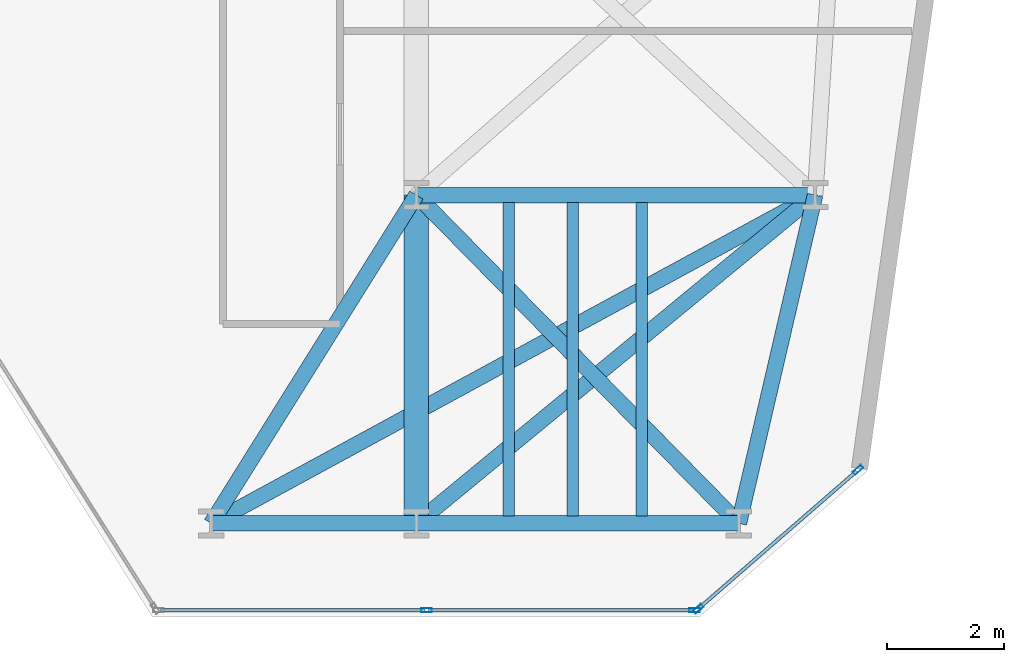
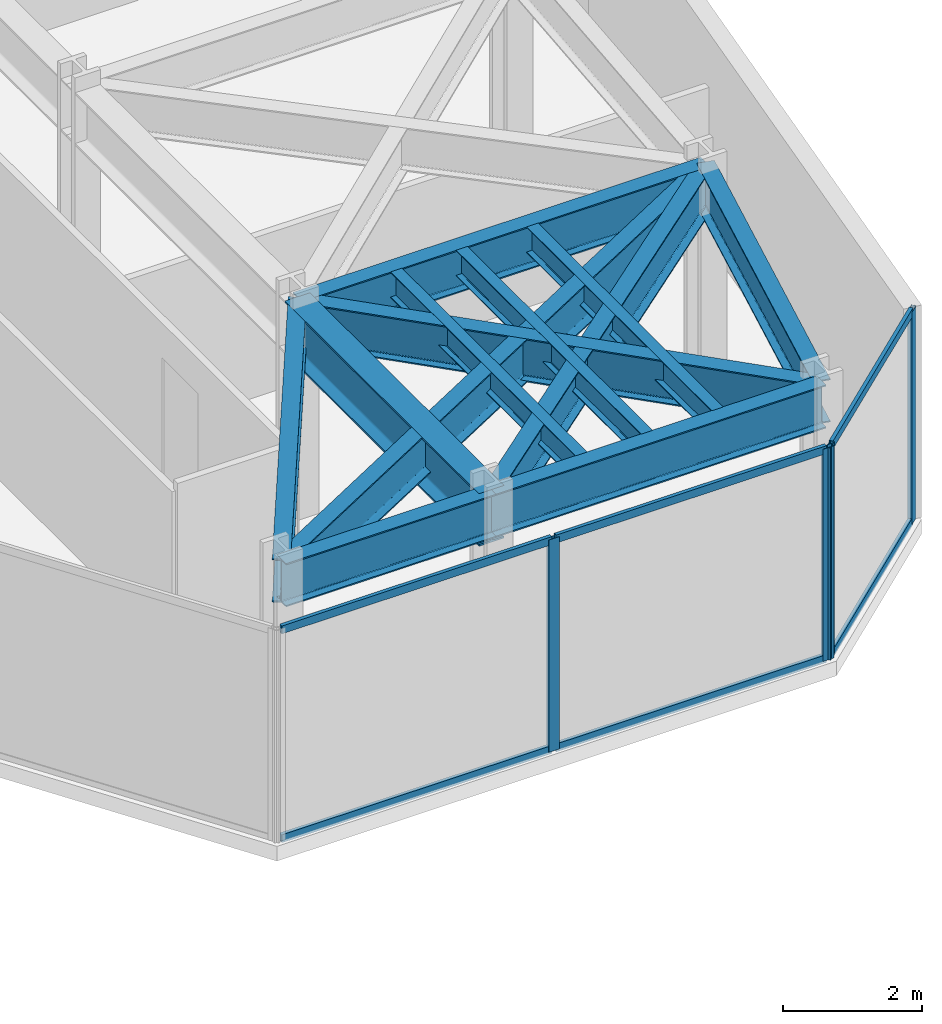
# One storey, part 13 of 24: 12 beams, 10 members, 2 elements without a shape of their own.
"""IFC4 building model written with IfcOpenShell, lengths in metres."""

import ifcopenshell
import ifcopenshell.guid

model = None  # the IFC model being written
_history = None  # IfcOwnerHistory: only IFC2X3 demands one
_inside = {}  # id of a spatial element -> (the spatial element, [elements in it])
_under = {}  # id of a project, library or spatial element -> (it, [spatial elements below it])
_declared = {}  # id of a project -> (the project, [libraries it declares])
_typed = {}  # id of a type object -> (the type object, [elements of that type])
_made_of = {}  # id of a material, layer set ... -> (it, [elements and type objects made of it])


def new_model(schema):
    """Start an empty IFC model of exactly this schema.

    Asked for "IFC4X3", IfcOpenShell would pick the latest addendum, in which some entities
    have other attributes; the version numbers below select the first issue.
    IFC2X3 requires an IfcOwnerHistory on every rooted entity: one is made here for all.
    """
    global model, _history
    if schema == "IFC4X3":
        model = ifcopenshell.file(schema_version=(4, 3, 0, 0))
    else:
        model = ifcopenshell.file(schema=schema)
    _inside.clear()
    _under.clear()
    _declared.clear()
    _typed.clear()
    _made_of.clear()
    _history = None
    if model.schema == "IFC2X3":
        org = make("IfcOrganization", Name="unknown")
        user = make(
            "IfcPersonAndOrganization",
            ThePerson=make("IfcPerson", FamilyName="unknown"),
            TheOrganization=org,
        )
        app = make(
            "IfcApplication",
            ApplicationDeveloper=org,
            Version="unknown",
            ApplicationFullName="unknown",
            ApplicationIdentifier="unknown",
        )
        _history = make(
            "IfcOwnerHistory",
            OwningUser=user,
            OwningApplication=app,
            ChangeAction="ADDED",
            CreationDate=0,
        )
    return model


def make(cls, **values):
    """One entity of the class cls with the attributes given. An attribute that is None is left unset."""
    return model.create_entity(
        cls, **{name: value for name, value in values.items() if value is not None}
    )


def rooted(cls, **values):
    """An entity with a GlobalId (a new one), such as an element, a storey or a relation."""
    return make(cls, GlobalId=ifcopenshell.guid.new(), OwnerHistory=_history, **values)


def si_unit(unit_type, name, prefix=None):
    """IfcSIUnit, for example si_unit("LENGTHUNIT", "METRE", prefix="MILLI")."""
    return make("IfcSIUnit", UnitType=unit_type, Prefix=prefix, Name=name)


def assignment(units):
    """IfcUnitAssignment: the units of a project."""
    return None if units is None else make("IfcUnitAssignment", Units=units)


def point(xyz):
    """IfcCartesianPoint."""
    return None if xyz is None else make("IfcCartesianPoint", Coordinates=xyz)


def direction(xyz):
    """IfcDirection."""
    return None if xyz is None else make("IfcDirection", DirectionRatios=xyz)


def frame(location, z_axis=None, x_axis=None):
    """IfcAxis2Placement3D, a coordinate frame: its origin and axes. An axis left out is left unset."""
    return make(
        "IfcAxis2Placement3D",
        Location=point(location),
        Axis=direction(z_axis),
        RefDirection=direction(x_axis),
    )


def frame_2d(location, x_axis=None):
    """IfcAxis2Placement2D, a coordinate frame in the plane: its origin and x axis."""
    return make(
        "IfcAxis2Placement2D", Location=point(location), RefDirection=direction(x_axis)
    )


def origin():
    """The frame at (0, 0, 0) with its axes left unset."""
    return frame((0.0, 0.0, 0.0))


def origin_2d():
    """The frame at (0, 0) in the plane with its x axis left unset."""
    return frame_2d((0.0, 0.0))


def place(relative_to, where):
    """IfcLocalPlacement: puts the frame where relative to a parent placement (None: the world)."""
    return make(
        "IfcLocalPlacement", PlacementRelTo=relative_to, RelativePlacement=where
    )


def context(
    kind, dimensions, precision=None, world=None, true_north=None, identifier=None
):
    """IfcGeometricRepresentationContext, for example the 3D "Model" context."""
    return make(
        "IfcGeometricRepresentationContext",
        ContextIdentifier=identifier,
        ContextType=kind,
        CoordinateSpaceDimension=dimensions,
        Precision=precision,
        WorldCoordinateSystem=world,
        TrueNorth=true_north,
    )


def subcontext(parent, identifier, kind, view, scale=None):
    """IfcGeometricRepresentationSubContext, for example "Body" below "Model"."""
    return make(
        "IfcGeometricRepresentationSubContext",
        ContextIdentifier=identifier,
        ContextType=kind,
        ParentContext=parent,
        TargetScale=scale,
        TargetView=view,
    )


def project(units=None, contexts=None):
    """IfcProject with its units and contexts."""
    return rooted(
        "IfcProject",
        Name="project",
        RepresentationContexts=contexts,
        UnitsInContext=assignment(units),
    )


def spatial(cls, under=None, at=None, **own):
    """A site, building, storey or space (cls), placed at a placement, below another one or the project."""
    s = rooted(cls, ObjectPlacement=at, **own)
    if under is not None:
        _under.setdefault(under.id(), (under, []))[1].append(s)
    return s


def profile(cls, at=None, kind="AREA", **sizes):
    """A parametric profile (cls). Its sizes go by their IFC names, for example OverallWidth=200.0."""
    return make(cls, ProfileType=kind, Position=at, **sizes)


def hollow_rectangle(**sizes):
    """IfcRectangleHollowProfileDef."""
    return profile("IfcRectangleHollowProfileDef", **sizes)


def i_section(**sizes):
    """IfcIShapeProfileDef."""
    return profile("IfcIShapeProfileDef", **sizes)


def extrude(swept, where, along, depth):
    """IfcExtrudedAreaSolid: the profile swept, set in the frame where, extruded along a direction by depth."""
    return make(
        "IfcExtrudedAreaSolid",
        SweptArea=swept,
        Position=where,
        ExtrudedDirection=direction(along),
        Depth=depth,
    )


def shape(context_of_items, identifier, shape_type, items):
    """IfcShapeRepresentation: the items that make up one representation, for example the "Body"."""
    return make(
        "IfcShapeRepresentation",
        ContextOfItems=context_of_items,
        RepresentationIdentifier=identifier,
        RepresentationType=shape_type,
        Items=items,
    )


def material(Name=None, Category=None):
    """IfcMaterial."""
    return make("IfcMaterial", Name=Name, Category=Category)


def layer(
    of_material, thickness, ventilated=None, Name=None, Category=None, Priority=None
):
    """IfcMaterialLayer: one layer of a wall or slab, of a material (None: an air gap)."""
    return make(
        "IfcMaterialLayer",
        Material=of_material,
        LayerThickness=thickness,
        IsVentilated=ventilated,
        Name=Name,
        Category=Category,
        Priority=Priority,
    )


def layer_set(layers, Name=None):
    """IfcMaterialLayerSet."""
    return make("IfcMaterialLayerSet", MaterialLayers=layers, LayerSetName=Name)


def material_profile(
    of_material, cross_section, Name=None, Category=None, Priority=None
):
    """IfcMaterialProfile: a cross section and its material."""
    return make(
        "IfcMaterialProfile",
        Name=Name,
        Material=of_material,
        Profile=cross_section,
        Priority=Priority,
        Category=Category,
    )


def profile_set(profiles, Name=None, composite=None):
    """IfcMaterialProfileSet."""
    return make(
        "IfcMaterialProfileSet",
        Name=Name,
        MaterialProfiles=profiles,
        CompositeProfile=composite,
    )


def made_of(thing, what):
    """Note that an element or type object is made of a material, layer set ...; save() writes the relation."""
    if what is not None:
        _made_of.setdefault(what.id(), (what, []))[1].append(thing)
    return thing


def type_object(cls, material=None, **own):
    """A type object (cls), such as IfcWallType, which elements share."""
    return made_of(rooted(cls, **own), material)


def element(
    cls,
    number,
    at=None,
    inside=None,
    cuts=None,
    type_object=None,
    material=None,
    context=None,
    identifier="Body",
    shape_type=None,
    held_by="IfcProductDefinitionShape",
    body=None,
    shapes=None,
    **own,
):
    """One element of the class cls, such as IfcWall. Its Tag is "e" and its number.

    at: its placement. inside: the storey or other place that contains it. cuts: it is an
    opening in that element (IfcRelVoidsElement). A single representation is given by context,
    identifier, shape_type and body (its items); several are given by shapes. held_by: the class
    of the entity that holds the representations. save() writes the other relations.
    """
    e = rooted(cls, Tag="e%d" % number, ObjectPlacement=at, **own)
    if body is not None:
        shapes = [shape(context, identifier, shape_type, body)]
    if shapes is not None:
        e.Representation = make(held_by, Representations=shapes)
    if inside is not None:
        _inside.setdefault(inside.id(), (inside, []))[1].append(e)
    if cuts is not None:
        rooted(
            "IfcRelVoidsElement", RelatingBuildingElement=cuts, RelatedOpeningElement=e
        )
    if type_object is not None:
        _typed.setdefault(type_object.id(), (type_object, []))[1].append(e)
    return made_of(e, material)


def aggregate(whole, parts):
    """IfcRelAggregates: a whole, such as a stair, and the parts it consists of."""
    return rooted("IfcRelAggregates", RelatingObject=whole, RelatedObjects=parts)


def save(model, path):
    """Write the relations noted so far, then the file.

    IfcRelAggregates (storeys below a building ...), IfcRelContainedInSpatialStructure (elements
    in a storey), IfcRelDefinesByType, IfcRelAssociatesMaterial and IfcRelDeclares: one each for
    every whole, place, type object, material and project.
    """
    for whole, parts in _under.values():
        aggregate(whole, parts)
    for where, things in _inside.values():
        rooted(
            "IfcRelContainedInSpatialStructure",
            RelatedElements=things,
            RelatingStructure=where,
        )
    for kind, things in _typed.values():
        rooted("IfcRelDefinesByType", RelatedObjects=things, RelatingType=kind)
    for what, things in _made_of.values():
        rooted("IfcRelAssociatesMaterial", RelatedObjects=things, RelatingMaterial=what)
    for by, libraries in _declared.values():
        rooted("IfcRelDeclares", RelatingContext=by, RelatedDefinitions=libraries)
    model.write(path)


model = new_model("IFC4")

# Units and contexts
model_context = context("Model", 3, precision=1e-05, world=origin(), true_north=direction((0.0, 1.0)))
body_context = subcontext(model_context, "Body", "Model", "MODEL_VIEW")
ifc_project = project(units=[si_unit("LENGTHUNIT", "METRE"), si_unit("AREAUNIT", "SQUARE_METRE"), si_unit("VOLUMEUNIT", "CUBIC_METRE"), si_unit("PLANEANGLEUNIT", "RADIAN"), si_unit("MASSUNIT", "GRAM", prefix="KILO")], contexts=[model_context])

# Site, building, storey
site_placement = place(None, origin())
site = spatial("IfcSite", under=ifc_project, at=site_placement, CompositionType="ELEMENT")
building_placement = place(site_placement, origin())
building = spatial("IfcBuilding", under=site, at=building_placement, Name="Kravanh Interchange Tower", CompositionType="ELEMENT")
storey_placement = place(building_placement, frame((0.0, 0.0, 77.5)))
storey = spatial("IfcBuildingStorey", under=building, at=storey_placement, Name="L18", CompositionType="ELEMENT", Elevation=77.5)

# Curtain wall, members
ifc_material_1 = material(Name="Anodised Bronze Aluminium", Category="aluminium")
ifc_layer = layer(ifc_material_1, 0.179931640625)
ifc_layer_set = layer_set([ifc_layer], Name="Unitised Curtain Wall System CW-Z1 Lower Office")
curtain_wall_type = type_object("IfcCurtainWallType", Name="Unitised Curtain Wall System CW-Z1 Lower Office", PredefinedType="NOTDEFINED", material=ifc_layer_set)
curtain_wall_1_placement = place(storey_placement, origin())
curtain_wall_1 = element("IfcCurtainWall", 1, at=curtain_wall_1_placement, inside=storey, type_object=curtain_wall_type, Name="L18 Unitised Curtain Wall CW-L18-02", PredefinedType="NOTDEFINED")
ifc_material_2 = material(Name="Anodised Bronze Aluminium", Category="aluminium")
ifc_material_profile_1 = material_profile(ifc_material_2, hollow_rectangle(XDim=0.070068359375, YDim=0.179931640625, WallThickness=0.00390625, at=origin_2d()), Name="ALU70X180X4")
ifc_profile_set_1 = profile_set([ifc_material_profile_1], Name="Anodised Bronze Aluminium")
member_type_1 = type_object("IfcMemberType", Name="Curtain Wall Mullion ALU70X180X4 Bronze", PredefinedType="MULLION", material=ifc_profile_set_1)
member_1_placement = place(storey_placement, frame((63.533203125, 3.513916015625, 0.0), z_axis=(0.0, 0.0, 1.0), x_axis=(0.656060422341, -0.754708368999, 0.0)))
member_1 = element("IfcMember", 2, at=member_1_placement, type_object=member_type_1, Name="CW-Z1 mullion 1", PredefinedType="MULLION", context=body_context, shape_type="SweptSolid", body=[
    extrude(hollow_rectangle(XDim=0.070068359375, YDim=0.179931640625, WallThickness=0.00390625, at=origin_2d()), origin(), (0.0, 0.0, 1.0), 3.739990234375),
])
member_2_placement = place(storey_placement, frame((60.805908203125, 1.14306640625, 0.0), z_axis=(0.0, 0.0, 1.0), x_axis=(0.656060422341, -0.754708368999, 0.0)))
member_2 = element("IfcMember", 3, at=member_2_placement, type_object=member_type_1, Name="CW-Z1 mullion 2", PredefinedType="MULLION", context=body_context, shape_type="SweptSolid", body=[
    extrude(hollow_rectangle(XDim=0.070068359375, YDim=0.179931640625, WallThickness=0.00390625, at=origin_2d()), origin(), (0.0, 0.0, 1.0), 3.739990234375),
])

curtain_wall_2_placement = place(storey_placement, origin())
curtain_wall_2 = element("IfcCurtainWall", 4, at=curtain_wall_2_placement, inside=storey, type_object=curtain_wall_type, Name="L18 Unitised Curtain Wall CW-L18-03", PredefinedType="NOTDEFINED")
member_3_placement = place(storey_placement, frame((60.744384765625, 1.1201171875, 0.0), z_axis=(0.0, 0.0, 1.0), x_axis=(0.0, -1.0, 0.0)))
member_3 = element("IfcMember", 5, at=member_3_placement, type_object=member_type_1, Name="CW-Z1 mullion 1", PredefinedType="MULLION", context=body_context, shape_type="SweptSolid", body=[
    extrude(hollow_rectangle(XDim=0.070068359375, YDim=0.179931640625, WallThickness=0.00390625, at=origin_2d()), origin(), (0.0, 0.0, 1.0), 3.739990234375),
])
member_4_placement = place(storey_placement, frame((56.1728515625, 1.1201171875, 0.0), z_axis=(0.0, 0.0, 1.0), x_axis=(0.0, -1.0, 0.0)))
member_4 = element("IfcMember", 6, at=member_4_placement, type_object=member_type_1, Name="CW-Z1 mullion 2", PredefinedType="MULLION", context=body_context, shape_type="SweptSolid", body=[
    extrude(hollow_rectangle(XDim=0.070068359375, YDim=0.179931640625, WallThickness=0.00390625, at=origin_2d()), origin(), (0.0, 0.0, 1.0), 3.739990234375),
])

# Member
ifc_material_3 = material(Name="Anodised Bronze Aluminium", Category="aluminium")
ifc_material_profile_2 = material_profile(ifc_material_3, hollow_rectangle(XDim=0.06005859375, YDim=0.139892578125, WallThickness=0.00390625, at=origin_2d()), Name="ALU60X140X4")
ifc_profile_set_2 = profile_set([ifc_material_profile_2], Name="Anodised Bronze Aluminium")
member_type_2 = type_object("IfcMemberType", Name="Curtain Wall Transom ALU60X140X4 Bronze", PredefinedType="USERDEFINED", material=ifc_profile_set_2)
member_5_placement = place(storey_placement, frame((63.5068359375, 3.490966796875, 0.030029296875), z_axis=(-0.754710815466, -0.656057608004, 0.0), x_axis=(0.656057608004, -0.754710815466, 0.0)))
member_5 = element("IfcMember", 7, at=member_5_placement, type_object=member_type_2, Name="CW-Z1 transom 1.1", ObjectType="TRANSOM", PredefinedType="USERDEFINED", context=body_context, shape_type="SweptSolid", body=[
    extrude(hollow_rectangle(XDim=0.06005859375, YDim=0.139892578125, WallThickness=0.00390625, at=origin_2d()), origin(), (0.0, 0.0, 1.0), 3.543701171875),
])

member_6_placement = place(storey_placement, frame((63.5068359375, 3.490966796875, 3.7099609375), z_axis=(-0.754710815466, -0.656057608004, 0.0), x_axis=(0.656057608004, -0.754710815466, 0.0)))
member_6 = element("IfcMember", 8, at=member_6_placement, type_object=member_type_2, Name="CW-Z1 transom 1.2", ObjectType="TRANSOM", PredefinedType="USERDEFINED", context=body_context, shape_type="SweptSolid", body=[
    extrude(hollow_rectangle(XDim=0.06005859375, YDim=0.139892578125, WallThickness=0.00390625, at=origin_2d()), origin(), (0.0, 0.0, 1.0), 3.543701171875),
])

aggregate(curtain_wall_1, [member_1, member_2, member_5, member_6])

member_7_placement = place(storey_placement, frame((60.70947265625, 1.1201171875, 0.030029296875), z_axis=(-1.0, 0.0, 0.0), x_axis=(0.0, -1.0, 0.0)))
member_7 = element("IfcMember", 9, at=member_7_placement, type_object=member_type_2, Name="CW-Z1 transom 1.1", ObjectType="TRANSOM", PredefinedType="USERDEFINED", context=body_context, shape_type="SweptSolid", body=[
    extrude(hollow_rectangle(XDim=0.06005859375, YDim=0.139892578125, WallThickness=0.00390625, at=origin_2d()), origin(), (0.0, 0.0, 1.0), 4.501708984375),
])

member_8_placement = place(storey_placement, frame((60.70947265625, 1.1201171875, 3.7099609375), z_axis=(-1.0, 0.0, 0.0), x_axis=(0.0, -1.0, 0.0)))
member_8 = element("IfcMember", 10, at=member_8_placement, type_object=member_type_2, Name="CW-Z1 transom 1.2", ObjectType="TRANSOM", PredefinedType="USERDEFINED", context=body_context, shape_type="SweptSolid", body=[
    extrude(hollow_rectangle(XDim=0.06005859375, YDim=0.139892578125, WallThickness=0.00390625, at=origin_2d()), origin(), (0.0, 0.0, 1.0), 4.501708984375),
])

member_9_placement = place(storey_placement, frame((56.1376953125, 1.1201171875, 0.030029296875), z_axis=(-1.0, 0.0, 0.0), x_axis=(0.0, -1.0, 0.0)))
member_9 = element("IfcMember", 11, at=member_9_placement, type_object=member_type_2, Name="CW-Z1 transom 2.1", ObjectType="TRANSOM", PredefinedType="USERDEFINED", context=body_context, shape_type="SweptSolid", body=[
    extrude(hollow_rectangle(XDim=0.06005859375, YDim=0.139892578125, WallThickness=0.00390625, at=origin_2d()), origin(), (0.0, 0.0, 1.0), 4.50146484375),
])

member_10_placement = place(storey_placement, frame((56.1376953125, 1.1201171875, 3.7099609375), z_axis=(-1.0, 0.0, 0.0), x_axis=(0.0, -1.0, 0.0)))
member_10 = element("IfcMember", 12, at=member_10_placement, type_object=member_type_2, Name="CW-Z1 transom 2.2", ObjectType="TRANSOM", PredefinedType="USERDEFINED", context=body_context, shape_type="SweptSolid", body=[
    extrude(hollow_rectangle(XDim=0.06005859375, YDim=0.139892578125, WallThickness=0.00390625, at=origin_2d()), origin(), (0.0, 0.0, 1.0), 4.50146484375),
])

aggregate(curtain_wall_2, [member_3, member_4, member_7, member_8, member_9, member_10])

# Beams
ifc_material_4 = material(Name="Structural Steel S355", Category="steel")
ifc_material_profile_3 = material_profile(ifc_material_4, i_section(OverallWidth=0.41796875, OverallDepth=0.927001953125, WebThickness=0.019287109375, FlangeThickness=0.031982421875, FilletRadius=0.028076171875, at=origin_2d()), Name="W36X231")
ifc_profile_set_3 = profile_set([ifc_material_profile_3], Name="Structural Steel S355")
beam_type_1 = type_object("IfcBeamType", Name="Floor Beam W36X231 Structural Steel S355", PredefinedType="BEAM", material=ifc_profile_set_3)
beam_1_placement = place(storey_placement, frame((56.0, 2.60009765625, 3.276611328125), z_axis=(0.0, 1.0, 0.0), x_axis=(-1.0, 0.0, 0.0)))
element("IfcBeam", 13, at=beam_1_placement, inside=storey, type_object=beam_type_1, Name="L18 Primary Floor Girder 129", PredefinedType="BEAM", context=body_context, shape_type="SweptSolid", body=[
    extrude(i_section(OverallWidth=0.41796875, OverallDepth=0.927001953125, WebThickness=0.019287109375, FlangeThickness=0.031982421875, FilletRadius=0.028076171875, at=origin_2d()), origin(), (0.0, 0.0, 1.0), 5.599853515625),
])
ifc_material_5 = material(Name="Structural Steel S355", Category="steel")
ifc_material_profile_4 = material_profile(ifc_material_5, i_section(OverallWidth=0.18994140625, OverallDepth=0.45703125, WebThickness=0.009033203125, FlangeThickness=0.014404296875, FilletRadius=0.01806640625, at=origin_2d()), Name="W18X50")
ifc_profile_set_4 = profile_set([ifc_material_profile_4], Name="Structural Steel S355")
beam_type_2 = type_object("IfcBeamType", Name="Floor Joist W18X50 Structural Steel S355", PredefinedType="JOIST", material=ifc_profile_set_4)
for number, where, z_axis, x_axis, name in (
    (14, (57.573974609375, 2.728515625, 3.511474609375), (0.0, 1.0, 0.0), (-1.0, 0.0, 0.0), "L18 Secondary Floor Joist 7"),
    (15, (58.666015625, 2.728515625, 3.511474609375), (0.0, 1.0, 0.0), (-1.0, 0.0, 0.0), "L18 Secondary Floor Joist 8"),
    (16, (59.842041015625, 2.728515625, 3.511474609375), (0.0, 1.0, 0.0), (-1.0, 0.0, 0.0), "L18 Secondary Floor Joist 9"),
):
    element("IfcBeam", number, at=place(storey_placement, frame(where, z_axis=z_axis, x_axis=x_axis)), inside=storey, type_object=beam_type_2, Name=name, PredefinedType="JOIST", context=body_context, shape_type="SweptSolid", body=[
        extrude(i_section(OverallWidth=0.18994140625, OverallDepth=0.45703125, WebThickness=0.009033203125, FlangeThickness=0.014404296875, FilletRadius=0.01806640625, at=origin_2d()), origin(), (0.0, 0.0, 1.0), 5.343017578125),
    ])
ifc_material_6 = material(Name="Structural Steel S355", Category="steel")
ifc_material_profile_5 = material_profile(ifc_material_6, i_section(OverallWidth=0.26708984375, OverallDepth=0.761962890625, WebThickness=0.014404296875, FlangeThickness=0.021484375, FilletRadius=0.02490234375, at=origin_2d()), Name="W30X116")
ifc_profile_set_5 = profile_set([ifc_material_profile_5], Name="Structural Steel S355")
beam_type_3 = type_object("IfcBeamType", Name="Floor Spandrel W30X116 Structural Steel S355", PredefinedType="SPANDREL", material=ifc_profile_set_5)
beam_2_placement = place(storey_placement, frame((52.5, 2.60009765625, 3.35888671875), z_axis=(1.0, 0.0, 0.0), x_axis=(0.0, 1.0, 0.0)))
element("IfcBeam", 17, at=beam_2_placement, inside=storey, type_object=beam_type_3, Name="L18 Perimeter Spandrel 125", PredefinedType="SPANDREL", context=body_context, shape_type="SweptSolid", body=[
    extrude(i_section(OverallWidth=0.26708984375, OverallDepth=0.761962890625, WebThickness=0.014404296875, FlangeThickness=0.021484375, FilletRadius=0.02490234375, at=origin_2d()), origin(), (0.0, 0.0, 1.0), 3.5),
])
beam_3_placement = place(storey_placement, frame((52.5, 2.60009765625, 3.35888671875), z_axis=(0.530008909536, 0.847992072965, 0.0), x_axis=(-0.847992072965, 0.530008909536, 0.0)))
element("IfcBeam", 18, at=beam_3_placement, inside=storey, type_object=beam_type_3, Name="L18 Perimeter Spandrel 126", PredefinedType="SPANDREL", context=body_context, shape_type="SweptSolid", body=[
    extrude(i_section(OverallWidth=0.26708984375, OverallDepth=0.761962890625, WebThickness=0.014404296875, FlangeThickness=0.021484375, FilletRadius=0.02490234375, at=origin_2d()), origin(), (0.0, 0.0, 1.0), 6.603759765625),
])
beam_4_placement = place(storey_placement, frame((52.5, 2.60009765625, 3.35888671875), z_axis=(0.878552895081, 0.47764506754, 0.0), x_axis=(-0.47764506754, 0.878552895081, 0.0)))
element("IfcBeam", 19, at=beam_4_placement, inside=storey, type_object=beam_type_3, Name="L18 Perimeter Spandrel 127", PredefinedType="SPANDREL", context=body_context, shape_type="SweptSolid", body=[
    extrude(i_section(OverallWidth=0.26708984375, OverallDepth=0.761962890625, WebThickness=0.014404296875, FlangeThickness=0.021484375, FilletRadius=0.02490234375, at=origin_2d()), origin(), (0.0, 0.0, 1.0), 11.723876953125),
])
beam_5_placement = place(storey_placement, frame((56.0, 2.60009765625, 3.35888671875), z_axis=(1.0, 0.0, 0.0), x_axis=(0.0, 1.0, 0.0)))
element("IfcBeam", 20, at=beam_5_placement, inside=storey, type_object=beam_type_3, Name="L18 Perimeter Spandrel 128", PredefinedType="SPANDREL", context=body_context, shape_type="SweptSolid", body=[
    extrude(i_section(OverallWidth=0.26708984375, OverallDepth=0.761962890625, WebThickness=0.014404296875, FlangeThickness=0.021484375, FilletRadius=0.02490234375, at=origin_2d()), origin(), (0.0, 0.0, 1.0), 5.5),
])
beam_6_placement = place(storey_placement, frame((56.0, 2.60009765625, 3.35888671875), z_axis=(0.771940635711, 0.635694623965, 0.0), x_axis=(-0.635694623965, 0.771940635711, 0.0)))
element("IfcBeam", 21, at=beam_6_placement, inside=storey, type_object=beam_type_3, Name="L18 Perimeter Spandrel 130", PredefinedType="SPANDREL", context=body_context, shape_type="SweptSolid", body=[
    extrude(i_section(OverallWidth=0.26708984375, OverallDepth=0.761962890625, WebThickness=0.014404296875, FlangeThickness=0.021484375, FilletRadius=0.02490234375, at=origin_2d()), origin(), (0.0, 0.0, 1.0), 8.80908203125),
])
beam_7_placement = place(storey_placement, frame((61.5, 2.60009765625, 3.35888671875), z_axis=(0.226143379252, 0.974094026273, 0.0), x_axis=(-0.974094026273, 0.226143379252, 0.0)))
element("IfcBeam", 22, at=beam_7_placement, inside=storey, type_object=beam_type_3, Name="L18 Perimeter Spandrel 131", PredefinedType="SPANDREL", context=body_context, shape_type="SweptSolid", body=[
    extrude(i_section(OverallWidth=0.26708984375, OverallDepth=0.761962890625, WebThickness=0.014404296875, FlangeThickness=0.021484375, FilletRadius=0.02490234375, at=origin_2d()), origin(), (0.0, 0.0, 1.0), 5.748779296875),
])
beam_8_placement = place(storey_placement, frame((61.5, 2.60009765625, 3.35888671875), z_axis=(-0.700717344595, 0.71343899738, 0.0), x_axis=(-0.71343899738, -0.700717344595, 0.0)))
element("IfcBeam", 23, at=beam_8_placement, inside=storey, type_object=beam_type_3, Name="L18 Perimeter Spandrel 132", PredefinedType="SPANDREL", context=body_context, shape_type="SweptSolid", body=[
    extrude(i_section(OverallWidth=0.26708984375, OverallDepth=0.761962890625, WebThickness=0.014404296875, FlangeThickness=0.021484375, FilletRadius=0.02490234375, at=origin_2d()), origin(), (0.0, 0.0, 1.0), 7.84912109375),
])
beam_9_placement = place(storey_placement, frame((56.0, 8.199951171875, 3.35888671875), z_axis=(1.0, 0.0, 0.0), x_axis=(0.0, 1.0, 0.0)))
element("IfcBeam", 24, at=beam_9_placement, inside=storey, type_object=beam_type_3, Name="L18 Perimeter Spandrel 142", PredefinedType="SPANDREL", context=body_context, shape_type="SweptSolid", body=[
    extrude(i_section(OverallWidth=0.26708984375, OverallDepth=0.761962890625, WebThickness=0.014404296875, FlangeThickness=0.021484375, FilletRadius=0.02490234375, at=origin_2d()), origin(), (0.0, 0.0, 1.0), 6.800048828125),
])

save(model, "model.ifc")
